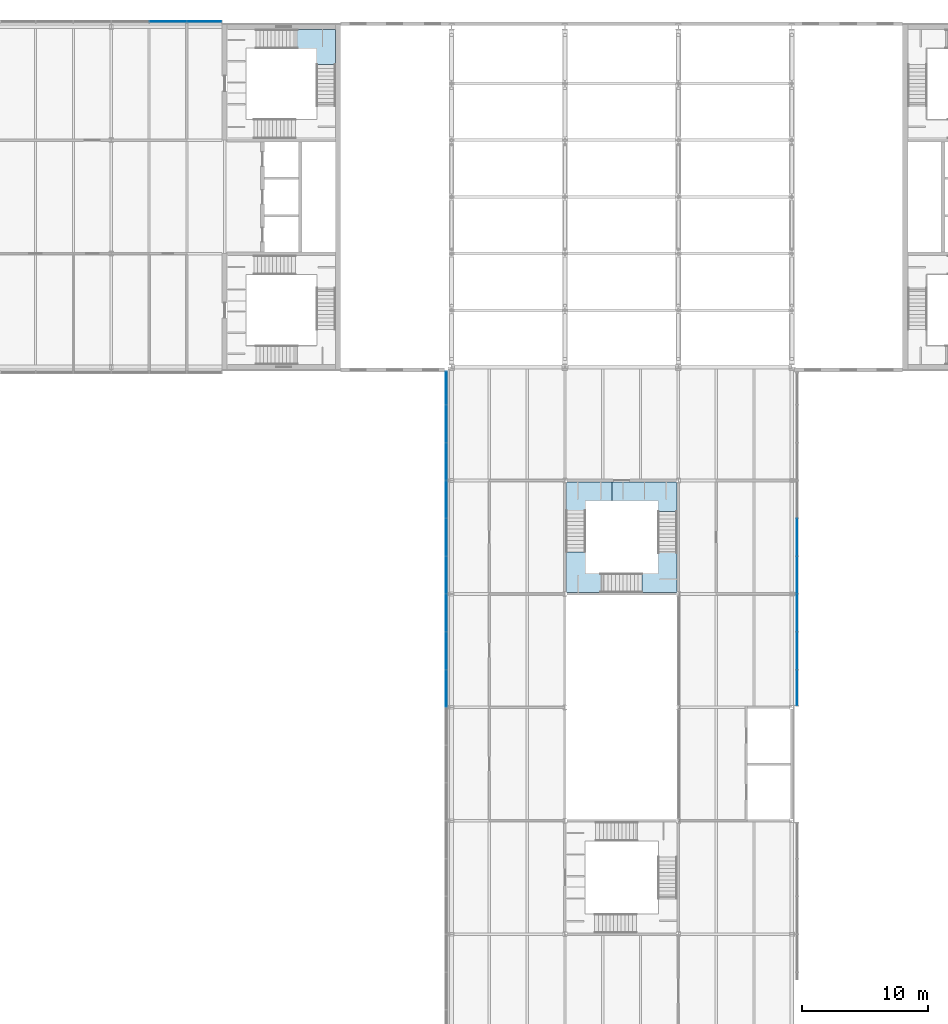
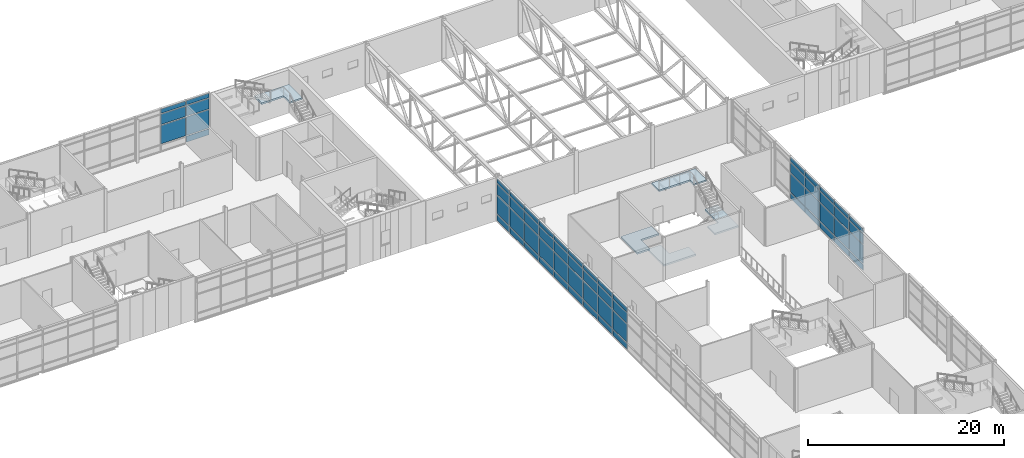
# One storey, part 32 of 53: 63 plates, 5 slabs, 5 elements without a shape of their own.
"""IFC4 building model written with IfcOpenShell, lengths in metres."""

from ifc_helpers import new_model, si_unit, direction, frame, origin, origin_2d, place, context, subcontext, project, spatial, polyline, rectangle, outline, extrude, material, layer, layer_set, type_object, element, aggregate, save


model = new_model("IFC4")

# Units and contexts
model_context = context("Model", 3, precision=1e-05, world=origin(), true_north=direction((0.0, 1.0)))
body_context = subcontext(model_context, "Body", "Model", "MODEL_VIEW")
ifc_project = project(units=[si_unit("LENGTHUNIT", "METRE"), si_unit("AREAUNIT", "SQUARE_METRE"), si_unit("VOLUMEUNIT", "CUBIC_METRE"), si_unit("PLANEANGLEUNIT", "RADIAN"), si_unit("MASSUNIT", "GRAM", prefix="KILO")], contexts=[model_context])

# Site, building, storey
site_placement = place(None, origin())
site = spatial("IfcSite", under=ifc_project, at=site_placement, CompositionType="ELEMENT")
building_placement = place(site_placement, origin())
building = spatial("IfcBuilding", under=site, at=building_placement, Name="Azimuth Sports and Learning Centre", CompositionType="ELEMENT")
storey_placement = place(building_placement, frame((0.0, 0.0, 10.800048828125)))
storey = spatial("IfcBuildingStorey", under=building, at=storey_placement, Name="L02", CompositionType="ELEMENT", Elevation=10.800048828125)

# Stair, slab
ifc_material_1 = material(Name="Concrete C32/40", Category="concrete")
stair_type_1 = type_object("IfcStairType", Name="Square-well stair core 5400 storey", PredefinedType="THREE_QUARTER_TURN_STAIR", material=ifc_material_1)
stair_1_placement = place(storey_placement, origin())
stair_1 = element("IfcStair", 1, at=stair_1_placement, inside=storey, type_object=stair_type_1, Name="Stair W2 L02-L03", PredefinedType="THREE_QUARTER_TURN_STAIR")
ifc_material_2 = material(Name="Concrete C32/40", Category="concrete")
ifc_layer_1 = layer(ifc_material_2, 0.199951171875)
ifc_layer_set_1 = layer_set([ifc_layer_1], Name="Concrete C32/40")
slab_type = type_object("IfcSlabType", Name="Concrete stair landing", PredefinedType="LANDING", material=ifc_layer_set_1)
slab_1_placement = place(storey_placement, frame((0.0, 0.0, 3.39990234375)))
slab_1 = element("IfcSlab", 2, at=slab_1_placement, type_object=slab_type, Name="Stair W2 L02 landing 3", PredefinedType="LANDING", context=body_context, shape_type="SweptSolid", body=[
    extrude(outline(polyline([(61.2900390625, 115.2900390625), (61.2900390625, 114.00927734375), (62.7900390625, 114.00927734375), (62.7900390625, 116.7900390625), (58.68994140625, 116.7900390625), (58.68994140625, 115.2900390625), (61.2900390625, 115.2900390625)])), origin(), (0.0, 0.0, 1.0), 0.199951171875),
])
aggregate(stair_1, [slab_1])

# Stair, slabs
ifc_material_3 = material(Name="Concrete C32/40", Category="concrete")
stair_type_2 = type_object("IfcStairType", Name="Square-well stair stem cell 5400 storey", PredefinedType="THREE_QUARTER_TURN_STAIR", material=ifc_material_3)
stair_2_placement = place(storey_placement, origin())
stair_2 = element("IfcStair", 3, at=stair_2_placement, inside=storey, type_object=stair_type_2, Name="Stair STD L02-L03", PredefinedType="THREE_QUARTER_TURN_STAIR")
slab_2_placement = place(storey_placement, frame((0.0, 0.0, -0.199951171875)))
slab_2 = element("IfcSlab", 4, at=slab_2_placement, type_object=slab_type, Name="Stair STD L02 landing 1", PredefinedType="LANDING", context=body_context, shape_type="SweptSolid", body=[
    extrude(outline(polyline([(82.610107421875, 77.5400390625), (82.610107421875, 79.389892578125), (84.75, 79.389892578125), (84.75, 80.889892578125), (81.110107421875, 80.889892578125), (81.110107421875, 77.5400390625), (82.610107421875, 77.5400390625)])), origin(), (0.0, 0.0, 1.0), 0.199951171875),
])
slab_3_placement = place(storey_placement, frame((0.0, 0.0, 1.599853515625)))
slab_3 = element("IfcSlab", 5, at=slab_3_placement, type_object=slab_type, Name="Stair STD L02 landing 2", PredefinedType="LANDING", context=body_context, shape_type="SweptSolid", body=[
    extrude(outline(polyline([(82.610107421875, 73.610107421875), (82.610107421875, 75.3408203125), (81.110107421875, 75.3408203125), (81.110107421875, 72.110107421875), (84.909912109375, 72.110107421875), (84.909912109375, 73.610107421875), (82.610107421875, 73.610107421875)])), origin(), (0.0, 0.0, 1.0), 0.2001953125),
])
slab_4_placement = place(storey_placement, frame((0.0, 0.0, 3.39990234375)))
slab_4 = element("IfcSlab", 6, at=slab_4_placement, type_object=slab_type, Name="Stair STD L02 landing 3", PredefinedType="LANDING", context=body_context, shape_type="SweptSolid", body=[
    extrude(outline(polyline([(88.389892578125, 73.610107421875), (87.109375, 73.610107421875), (87.109375, 72.110107421875), (89.889892578125, 72.110107421875), (89.889892578125, 76.360107421875), (88.389892578125, 76.360107421875), (88.389892578125, 73.610107421875)])), origin(), (0.0, 0.0, 1.0), 0.199951171875),
])
slab_5_placement = place(storey_placement, frame((0.0, 0.0, 5.199951171875)))
slab_5 = element("IfcSlab", 7, at=slab_5_placement, type_object=slab_type, Name="Stair STD L02 landing 4", PredefinedType="LANDING", context=body_context, shape_type="SweptSolid", body=[
    extrude(outline(polyline([(88.389892578125, 79.389892578125), (88.389892578125, 78.559326171875), (89.889892578125, 78.559326171875), (89.889892578125, 80.889892578125), (84.75, 80.889892578125), (84.75, 79.389892578125), (88.389892578125, 79.389892578125)])), origin(), (0.0, 0.0, 1.0), 0.199951171875),
])
aggregate(stair_2, [slab_2, slab_3, slab_4, slab_5])

# Curtain wall, plates
ifc_material_4 = material(Name="Aluminium and glass", Category="aluminium")
curtain_wall_type_1 = type_object("IfcCurtainWallType", Name="Curtain wall podium stem 240", PredefinedType="NOTDEFINED", material=ifc_material_4)
curtain_wall_1_placement = place(storey_placement, origin())
curtain_wall_1 = element("IfcCurtainWall", 8, at=curtain_wall_1_placement, inside=storey, type_object=curtain_wall_type_1, Name="Curtain wall CW02-003", PredefinedType="NOTDEFINED")
ifc_material_5 = material(Name="Insulated aluminium panel", Category="aluminium")
ifc_layer_2 = layer(ifc_material_5, 0.06005859375)
ifc_layer_set_2 = layer_set([ifc_layer_2], Name="Insulated aluminium panel")
plate_type_1 = type_object("IfcPlateType", Name="Spandrel panel 60 mm", PredefinedType="CURTAIN_PANEL", material=ifc_layer_set_2)
plate_1_placement = place(storey_placement, frame((71.580078125, 88.330078125, 0.1201171875), z_axis=(0.0, 0.0, 1.0), x_axis=(0.0, -1.0, 0.0)))
plate_1 = element("IfcPlate", 9, at=plate_1_placement, type_object=plate_type_1, Name="CW02-003 panel 1.1", PredefinedType="CURTAIN_PANEL", context=body_context, shape_type="SweptSolid", body=[
    extrude(rectangle(XDim=2.580078125, YDim=0.06005859375, at=origin_2d()), origin(), (0.0, 0.0, 1.0), 0.719970703125),
])
plate_2_placement = place(storey_placement, frame((71.580078125, 88.330078125, 4.760009765625), z_axis=(0.0, 0.0, 1.0), x_axis=(0.0, -1.0, 0.0)))
plate_2 = element("IfcPlate", 10, at=plate_2_placement, type_object=plate_type_1, Name="CW02-003 panel 1.4", PredefinedType="CURTAIN_PANEL", context=body_context, shape_type="SweptSolid", body=[
    extrude(rectangle(XDim=2.580078125, YDim=0.06005859375, at=origin_2d()), origin(), (0.0, 0.0, 1.0), 0.52001953125),
])
plate_3_placement = place(storey_placement, frame((71.580078125, 85.5, 0.1201171875), z_axis=(0.0, 0.0, 1.0), x_axis=(0.0, -1.0, 0.0)))
plate_3 = element("IfcPlate", 11, at=plate_3_placement, type_object=plate_type_1, Name="CW02-003 panel 2.1", PredefinedType="CURTAIN_PANEL", context=body_context, shape_type="SweptSolid", body=[
    extrude(rectangle(XDim=2.919921875, YDim=0.06005859375, at=origin_2d()), origin(), (0.0, 0.0, 1.0), 0.719970703125),
])
plate_4_placement = place(storey_placement, frame((71.580078125, 85.5, 4.760009765625), z_axis=(0.0, 0.0, 1.0), x_axis=(0.0, -1.0, 0.0)))
plate_4 = element("IfcPlate", 12, at=plate_4_placement, type_object=plate_type_1, Name="CW02-003 panel 2.4", PredefinedType="CURTAIN_PANEL", context=body_context, shape_type="SweptSolid", body=[
    extrude(rectangle(XDim=2.919921875, YDim=0.06005859375, at=origin_2d()), origin(), (0.0, 0.0, 1.0), 0.52001953125),
])
plate_5_placement = place(storey_placement, frame((71.580078125, 82.5, 0.1201171875), z_axis=(0.0, 0.0, 1.0), x_axis=(0.0, -1.0, 0.0)))
plate_5 = element("IfcPlate", 13, at=plate_5_placement, type_object=plate_type_1, Name="CW02-003 panel 3.1", PredefinedType="CURTAIN_PANEL", context=body_context, shape_type="SweptSolid", body=[
    extrude(rectangle(XDim=2.919921875, YDim=0.06005859375, at=origin_2d()), origin(), (0.0, 0.0, 1.0), 0.719970703125),
])
plate_6_placement = place(storey_placement, frame((71.580078125, 82.5, 4.760009765625), z_axis=(0.0, 0.0, 1.0), x_axis=(0.0, -1.0, 0.0)))
plate_6 = element("IfcPlate", 14, at=plate_6_placement, type_object=plate_type_1, Name="CW02-003 panel 3.4", PredefinedType="CURTAIN_PANEL", context=body_context, shape_type="SweptSolid", body=[
    extrude(rectangle(XDim=2.919921875, YDim=0.06005859375, at=origin_2d()), origin(), (0.0, 0.0, 1.0), 0.52001953125),
])
plate_7_placement = place(storey_placement, frame((71.580078125, 79.5, 0.1201171875), z_axis=(0.0, 0.0, 1.0), x_axis=(0.0, -1.0, 0.0)))
plate_7 = element("IfcPlate", 15, at=plate_7_placement, type_object=plate_type_1, Name="CW02-003 panel 4.1", PredefinedType="CURTAIN_PANEL", context=body_context, shape_type="SweptSolid", body=[
    extrude(rectangle(XDim=2.919921875, YDim=0.06005859375, at=origin_2d()), origin(), (0.0, 0.0, 1.0), 0.719970703125),
])
plate_8_placement = place(storey_placement, frame((71.580078125, 79.5, 4.760009765625), z_axis=(0.0, 0.0, 1.0), x_axis=(0.0, -1.0, 0.0)))
plate_8 = element("IfcPlate", 16, at=plate_8_placement, type_object=plate_type_1, Name="CW02-003 panel 4.4", PredefinedType="CURTAIN_PANEL", context=body_context, shape_type="SweptSolid", body=[
    extrude(rectangle(XDim=2.919921875, YDim=0.06005859375, at=origin_2d()), origin(), (0.0, 0.0, 1.0), 0.52001953125),
])
plate_9_placement = place(storey_placement, frame((71.580078125, 76.5, 0.1201171875), z_axis=(0.0, 0.0, 1.0), x_axis=(0.0, -1.0, 0.0)))
plate_9 = element("IfcPlate", 17, at=plate_9_placement, type_object=plate_type_1, Name="CW02-003 panel 5.1", PredefinedType="CURTAIN_PANEL", context=body_context, shape_type="SweptSolid", body=[
    extrude(rectangle(XDim=2.919921875, YDim=0.06005859375, at=origin_2d()), origin(), (0.0, 0.0, 1.0), 0.719970703125),
])
plate_10_placement = place(storey_placement, frame((71.580078125, 76.5, 4.760009765625), z_axis=(0.0, 0.0, 1.0), x_axis=(0.0, -1.0, 0.0)))
plate_10 = element("IfcPlate", 18, at=plate_10_placement, type_object=plate_type_1, Name="CW02-003 panel 5.4", PredefinedType="CURTAIN_PANEL", context=body_context, shape_type="SweptSolid", body=[
    extrude(rectangle(XDim=2.919921875, YDim=0.06005859375, at=origin_2d()), origin(), (0.0, 0.0, 1.0), 0.52001953125),
])
plate_11_placement = place(storey_placement, frame((71.580078125, 73.5, 0.1201171875), z_axis=(0.0, 0.0, 1.0), x_axis=(0.0, -1.0, 0.0)))
plate_11 = element("IfcPlate", 19, at=plate_11_placement, type_object=plate_type_1, Name="CW02-003 panel 6.1", PredefinedType="CURTAIN_PANEL", context=body_context, shape_type="SweptSolid", body=[
    extrude(rectangle(XDim=2.919921875, YDim=0.06005859375, at=origin_2d()), origin(), (0.0, 0.0, 1.0), 0.719970703125),
])
plate_12_placement = place(storey_placement, frame((71.580078125, 73.5, 4.760009765625), z_axis=(0.0, 0.0, 1.0), x_axis=(0.0, -1.0, 0.0)))
plate_12 = element("IfcPlate", 20, at=plate_12_placement, type_object=plate_type_1, Name="CW02-003 panel 6.4", PredefinedType="CURTAIN_PANEL", context=body_context, shape_type="SweptSolid", body=[
    extrude(rectangle(XDim=2.919921875, YDim=0.06005859375, at=origin_2d()), origin(), (0.0, 0.0, 1.0), 0.52001953125),
])
plate_13_placement = place(storey_placement, frame((71.580078125, 70.5, 0.1201171875), z_axis=(0.0, 0.0, 1.0), x_axis=(0.0, -1.0, 0.0)))
plate_13 = element("IfcPlate", 21, at=plate_13_placement, type_object=plate_type_1, Name="CW02-003 panel 7.1", PredefinedType="CURTAIN_PANEL", context=body_context, shape_type="SweptSolid", body=[
    extrude(rectangle(XDim=2.919921875, YDim=0.06005859375, at=origin_2d()), origin(), (0.0, 0.0, 1.0), 0.719970703125),
])
plate_14_placement = place(storey_placement, frame((71.580078125, 70.5, 4.760009765625), z_axis=(0.0, 0.0, 1.0), x_axis=(0.0, -1.0, 0.0)))
plate_14 = element("IfcPlate", 22, at=plate_14_placement, type_object=plate_type_1, Name="CW02-003 panel 7.4", PredefinedType="CURTAIN_PANEL", context=body_context, shape_type="SweptSolid", body=[
    extrude(rectangle(XDim=2.919921875, YDim=0.06005859375, at=origin_2d()), origin(), (0.0, 0.0, 1.0), 0.52001953125),
])
plate_15_placement = place(storey_placement, frame((71.580078125, 67.5, 0.1201171875), z_axis=(0.0, 0.0, 1.0), x_axis=(0.0, -1.0, 0.0)))
plate_15 = element("IfcPlate", 23, at=plate_15_placement, type_object=plate_type_1, Name="CW02-003 panel 8.1", PredefinedType="CURTAIN_PANEL", context=body_context, shape_type="SweptSolid", body=[
    extrude(rectangle(XDim=2.919921875, YDim=0.06005859375, at=origin_2d()), origin(), (0.0, 0.0, 1.0), 0.719970703125),
])
plate_16_placement = place(storey_placement, frame((71.580078125, 67.5, 4.760009765625), z_axis=(0.0, 0.0, 1.0), x_axis=(0.0, -1.0, 0.0)))
plate_16 = element("IfcPlate", 24, at=plate_16_placement, type_object=plate_type_1, Name="CW02-003 panel 8.4", PredefinedType="CURTAIN_PANEL", context=body_context, shape_type="SweptSolid", body=[
    extrude(rectangle(XDim=2.919921875, YDim=0.06005859375, at=origin_2d()), origin(), (0.0, 0.0, 1.0), 0.52001953125),
])
plate_17_placement = place(storey_placement, frame((71.580078125, 64.5, 0.1201171875), z_axis=(0.0, 0.0, 1.0), x_axis=(0.0, -1.0, 0.0)))
plate_17 = element("IfcPlate", 25, at=plate_17_placement, type_object=plate_type_1, Name="CW02-003 panel 9.1", PredefinedType="CURTAIN_PANEL", context=body_context, shape_type="SweptSolid", body=[
    extrude(rectangle(XDim=2.919921875, YDim=0.06005859375, at=origin_2d()), origin(), (0.0, 0.0, 1.0), 0.719970703125),
])
plate_18_placement = place(storey_placement, frame((71.580078125, 64.5, 4.760009765625), z_axis=(0.0, 0.0, 1.0), x_axis=(0.0, -1.0, 0.0)))
plate_18 = element("IfcPlate", 26, at=plate_18_placement, type_object=plate_type_1, Name="CW02-003 panel 9.4", PredefinedType="CURTAIN_PANEL", context=body_context, shape_type="SweptSolid", body=[
    extrude(rectangle(XDim=2.919921875, YDim=0.06005859375, at=origin_2d()), origin(), (0.0, 0.0, 1.0), 0.52001953125),
])

curtain_wall_2_placement = place(storey_placement, origin())
curtain_wall_2 = element("IfcCurtainWall", 27, at=curtain_wall_2_placement, inside=storey, type_object=curtain_wall_type_1, Name="Curtain wall CW02-008", PredefinedType="NOTDEFINED")
plate_19_placement = place(storey_placement, frame((99.419921875, 64.570068359375, 0.1201171875), z_axis=(0.0, 0.0, 1.0), x_axis=(0.0, 1.0, 0.0)))
plate_19 = element("IfcPlate", 28, at=plate_19_placement, type_object=plate_type_1, Name="CW02-008 panel 1.1", PredefinedType="CURTAIN_PANEL", context=body_context, shape_type="SweptSolid", body=[
    extrude(rectangle(XDim=2.780029296875, YDim=0.06005859375, at=origin_2d()), origin(), (0.0, 0.0, 1.0), 0.719970703125),
])
plate_20_placement = place(storey_placement, frame((99.419921875, 64.570068359375, 4.760009765625), z_axis=(0.0, 0.0, 1.0), x_axis=(0.0, 1.0, 0.0)))
plate_20 = element("IfcPlate", 29, at=plate_20_placement, type_object=plate_type_1, Name="CW02-008 panel 1.4", PredefinedType="CURTAIN_PANEL", context=body_context, shape_type="SweptSolid", body=[
    extrude(rectangle(XDim=2.780029296875, YDim=0.06005859375, at=origin_2d()), origin(), (0.0, 0.0, 1.0), 0.52001953125),
])
plate_21_placement = place(storey_placement, frame((99.419921875, 67.5, 0.1201171875), z_axis=(0.0, 0.0, 1.0), x_axis=(0.0, 1.0, 0.0)))
plate_21 = element("IfcPlate", 30, at=plate_21_placement, type_object=plate_type_1, Name="CW02-008 panel 2.1", PredefinedType="CURTAIN_PANEL", context=body_context, shape_type="SweptSolid", body=[
    extrude(rectangle(XDim=2.919921875, YDim=0.06005859375, at=origin_2d()), origin(), (0.0, 0.0, 1.0), 0.719970703125),
])
plate_22_placement = place(storey_placement, frame((99.419921875, 67.5, 4.760009765625), z_axis=(0.0, 0.0, 1.0), x_axis=(0.0, 1.0, 0.0)))
plate_22 = element("IfcPlate", 31, at=plate_22_placement, type_object=plate_type_1, Name="CW02-008 panel 2.4", PredefinedType="CURTAIN_PANEL", context=body_context, shape_type="SweptSolid", body=[
    extrude(rectangle(XDim=2.919921875, YDim=0.06005859375, at=origin_2d()), origin(), (0.0, 0.0, 1.0), 0.52001953125),
])
plate_23_placement = place(storey_placement, frame((99.419921875, 70.5, 0.1201171875), z_axis=(0.0, 0.0, 1.0), x_axis=(0.0, 1.0, 0.0)))
plate_23 = element("IfcPlate", 32, at=plate_23_placement, type_object=plate_type_1, Name="CW02-008 panel 3.1", PredefinedType="CURTAIN_PANEL", context=body_context, shape_type="SweptSolid", body=[
    extrude(rectangle(XDim=2.919921875, YDim=0.06005859375, at=origin_2d()), origin(), (0.0, 0.0, 1.0), 0.719970703125),
])
plate_24_placement = place(storey_placement, frame((99.419921875, 70.5, 4.760009765625), z_axis=(0.0, 0.0, 1.0), x_axis=(0.0, 1.0, 0.0)))
plate_24 = element("IfcPlate", 33, at=plate_24_placement, type_object=plate_type_1, Name="CW02-008 panel 3.4", PredefinedType="CURTAIN_PANEL", context=body_context, shape_type="SweptSolid", body=[
    extrude(rectangle(XDim=2.919921875, YDim=0.06005859375, at=origin_2d()), origin(), (0.0, 0.0, 1.0), 0.52001953125),
])
plate_25_placement = place(storey_placement, frame((99.419921875, 73.5, 0.1201171875), z_axis=(0.0, 0.0, 1.0), x_axis=(0.0, 1.0, 0.0)))
plate_25 = element("IfcPlate", 34, at=plate_25_placement, type_object=plate_type_1, Name="CW02-008 panel 4.1", PredefinedType="CURTAIN_PANEL", context=body_context, shape_type="SweptSolid", body=[
    extrude(rectangle(XDim=2.919921875, YDim=0.06005859375, at=origin_2d()), origin(), (0.0, 0.0, 1.0), 0.719970703125),
])
plate_26_placement = place(storey_placement, frame((99.419921875, 73.5, 4.760009765625), z_axis=(0.0, 0.0, 1.0), x_axis=(0.0, 1.0, 0.0)))
plate_26 = element("IfcPlate", 35, at=plate_26_placement, type_object=plate_type_1, Name="CW02-008 panel 4.4", PredefinedType="CURTAIN_PANEL", context=body_context, shape_type="SweptSolid", body=[
    extrude(rectangle(XDim=2.919921875, YDim=0.06005859375, at=origin_2d()), origin(), (0.0, 0.0, 1.0), 0.52001953125),
])
plate_27_placement = place(storey_placement, frame((99.419921875, 76.5, 0.1201171875), z_axis=(0.0, 0.0, 1.0), x_axis=(0.0, 1.0, 0.0)))
plate_27 = element("IfcPlate", 36, at=plate_27_placement, type_object=plate_type_1, Name="CW02-008 panel 5.1", PredefinedType="CURTAIN_PANEL", context=body_context, shape_type="SweptSolid", body=[
    extrude(rectangle(XDim=2.919921875, YDim=0.06005859375, at=origin_2d()), origin(), (0.0, 0.0, 1.0), 0.719970703125),
])
plate_28_placement = place(storey_placement, frame((99.419921875, 76.5, 4.760009765625), z_axis=(0.0, 0.0, 1.0), x_axis=(0.0, 1.0, 0.0)))
plate_28 = element("IfcPlate", 37, at=plate_28_placement, type_object=plate_type_1, Name="CW02-008 panel 5.4", PredefinedType="CURTAIN_PANEL", context=body_context, shape_type="SweptSolid", body=[
    extrude(rectangle(XDim=2.919921875, YDim=0.06005859375, at=origin_2d()), origin(), (0.0, 0.0, 1.0), 0.52001953125),
])

ifc_material_6 = material(Name="Aluminium and glass", Category="aluminium")
curtain_wall_type_2 = type_object("IfcCurtainWallType", Name="Curtain wall podium wing 240", PredefinedType="NOTDEFINED", material=ifc_material_6)
curtain_wall_3_placement = place(storey_placement, origin())
curtain_wall_3 = element("IfcCurtainWall", 38, at=curtain_wall_3_placement, inside=storey, type_object=curtain_wall_type_2, Name="Curtain wall CW02-013", PredefinedType="NOTDEFINED")
plate_29_placement = place(storey_placement, frame((52.3798828125, 117.419921875, 0.1201171875), z_axis=(0.0, 0.0, 1.0), x_axis=(-1.0, 0.0, 0.0)))
plate_29 = element("IfcPlate", 39, at=plate_29_placement, type_object=plate_type_1, Name="CW02-013 panel 1.1", PredefinedType="CURTAIN_PANEL", context=body_context, shape_type="SweptSolid", body=[
    extrude(rectangle(XDim=2.679931640625, YDim=0.06005859375, at=origin_2d()), origin(), (0.0, 0.0, 1.0), 0.719970703125),
])
plate_30_placement = place(storey_placement, frame((52.3798828125, 117.419921875, 4.760009765625), z_axis=(0.0, 0.0, 1.0), x_axis=(-1.0, 0.0, 0.0)))
plate_30 = element("IfcPlate", 40, at=plate_30_placement, type_object=plate_type_1, Name="CW02-013 panel 1.4", PredefinedType="CURTAIN_PANEL", context=body_context, shape_type="SweptSolid", body=[
    extrude(rectangle(XDim=2.679931640625, YDim=0.06005859375, at=origin_2d()), origin(), (0.0, 0.0, 1.0), 0.52001953125),
])
plate_31_placement = place(storey_placement, frame((49.5, 117.419921875, 4.760009765625), z_axis=(0.0, 0.0, 1.0), x_axis=(-1.0, 0.0, 0.0)))
plate_31 = element("IfcPlate", 41, at=plate_31_placement, type_object=plate_type_1, Name="CW02-013 panel 2.4", PredefinedType="CURTAIN_PANEL", context=body_context, shape_type="SweptSolid", body=[
    extrude(rectangle(XDim=2.919921875, YDim=0.06005859375, at=origin_2d()), origin(), (0.0, 0.0, 1.0), 0.52001953125),
])

# Plate
ifc_material_7 = material(Name="Glass", Category="glass")
ifc_layer_3 = layer(ifc_material_7, 0.0439453125)
ifc_layer_set_3 = layer_set([ifc_layer_3], Name="Glass")
plate_type_2 = type_object("IfcPlateType", Name="Vision glass 44 mm", PredefinedType="CURTAIN_PANEL", material=ifc_layer_set_3)
plate_32_placement = place(storey_placement, frame((71.580078125, 88.330078125, 0.9599609375), z_axis=(0.0, 0.0, 1.0), x_axis=(0.0, -1.0, 0.0)))
plate_32 = element("IfcPlate", 42, at=plate_32_placement, type_object=plate_type_2, Name="CW02-003 panel 1.2", PredefinedType="CURTAIN_PANEL", context=body_context, shape_type="SweptSolid", body=[
    extrude(rectangle(XDim=2.580078125, YDim=0.0439453125, at=origin_2d()), origin(), (0.0, 0.0, 1.0), 2.280029296875),
])

plate_33_placement = place(storey_placement, frame((71.580078125, 88.330078125, 3.35986328125), z_axis=(0.0, 0.0, 1.0), x_axis=(0.0, -1.0, 0.0)))
plate_33 = element("IfcPlate", 43, at=plate_33_placement, type_object=plate_type_2, Name="CW02-003 panel 1.3", PredefinedType="CURTAIN_PANEL", context=body_context, shape_type="SweptSolid", body=[
    extrude(rectangle(XDim=2.580078125, YDim=0.0439453125, at=origin_2d()), origin(), (0.0, 0.0, 1.0), 1.280029296875),
])

plate_34_placement = place(storey_placement, frame((71.580078125, 85.5, 0.9599609375), z_axis=(0.0, 0.0, 1.0), x_axis=(0.0, -1.0, 0.0)))
plate_34 = element("IfcPlate", 44, at=plate_34_placement, type_object=plate_type_2, Name="CW02-003 panel 2.2", PredefinedType="CURTAIN_PANEL", context=body_context, shape_type="SweptSolid", body=[
    extrude(rectangle(XDim=2.919921875, YDim=0.0439453125, at=origin_2d()), origin(), (0.0, 0.0, 1.0), 2.280029296875),
])

plate_35_placement = place(storey_placement, frame((71.580078125, 85.5, 3.35986328125), z_axis=(0.0, 0.0, 1.0), x_axis=(0.0, -1.0, 0.0)))
plate_35 = element("IfcPlate", 45, at=plate_35_placement, type_object=plate_type_2, Name="CW02-003 panel 2.3", PredefinedType="CURTAIN_PANEL", context=body_context, shape_type="SweptSolid", body=[
    extrude(rectangle(XDim=2.919921875, YDim=0.0439453125, at=origin_2d()), origin(), (0.0, 0.0, 1.0), 1.280029296875),
])

plate_36_placement = place(storey_placement, frame((71.580078125, 82.5, 0.9599609375), z_axis=(0.0, 0.0, 1.0), x_axis=(0.0, -1.0, 0.0)))
plate_36 = element("IfcPlate", 46, at=plate_36_placement, type_object=plate_type_2, Name="CW02-003 panel 3.2", PredefinedType="CURTAIN_PANEL", context=body_context, shape_type="SweptSolid", body=[
    extrude(rectangle(XDim=2.919921875, YDim=0.0439453125, at=origin_2d()), origin(), (0.0, 0.0, 1.0), 2.280029296875),
])

plate_37_placement = place(storey_placement, frame((71.580078125, 82.5, 3.35986328125), z_axis=(0.0, 0.0, 1.0), x_axis=(0.0, -1.0, 0.0)))
plate_37 = element("IfcPlate", 47, at=plate_37_placement, type_object=plate_type_2, Name="CW02-003 panel 3.3", PredefinedType="CURTAIN_PANEL", context=body_context, shape_type="SweptSolid", body=[
    extrude(rectangle(XDim=2.919921875, YDim=0.0439453125, at=origin_2d()), origin(), (0.0, 0.0, 1.0), 1.280029296875),
])

plate_38_placement = place(storey_placement, frame((71.580078125, 79.5, 0.9599609375), z_axis=(0.0, 0.0, 1.0), x_axis=(0.0, -1.0, 0.0)))
plate_38 = element("IfcPlate", 48, at=plate_38_placement, type_object=plate_type_2, Name="CW02-003 panel 4.2", PredefinedType="CURTAIN_PANEL", context=body_context, shape_type="SweptSolid", body=[
    extrude(rectangle(XDim=2.919921875, YDim=0.0439453125, at=origin_2d()), origin(), (0.0, 0.0, 1.0), 2.280029296875),
])

plate_39_placement = place(storey_placement, frame((71.580078125, 79.5, 3.35986328125), z_axis=(0.0, 0.0, 1.0), x_axis=(0.0, -1.0, 0.0)))
plate_39 = element("IfcPlate", 49, at=plate_39_placement, type_object=plate_type_2, Name="CW02-003 panel 4.3", PredefinedType="CURTAIN_PANEL", context=body_context, shape_type="SweptSolid", body=[
    extrude(rectangle(XDim=2.919921875, YDim=0.0439453125, at=origin_2d()), origin(), (0.0, 0.0, 1.0), 1.280029296875),
])

plate_40_placement = place(storey_placement, frame((71.580078125, 76.5, 0.9599609375), z_axis=(0.0, 0.0, 1.0), x_axis=(0.0, -1.0, 0.0)))
plate_40 = element("IfcPlate", 50, at=plate_40_placement, type_object=plate_type_2, Name="CW02-003 panel 5.2", PredefinedType="CURTAIN_PANEL", context=body_context, shape_type="SweptSolid", body=[
    extrude(rectangle(XDim=2.919921875, YDim=0.0439453125, at=origin_2d()), origin(), (0.0, 0.0, 1.0), 2.280029296875),
])

plate_41_placement = place(storey_placement, frame((71.580078125, 76.5, 3.35986328125), z_axis=(0.0, 0.0, 1.0), x_axis=(0.0, -1.0, 0.0)))
plate_41 = element("IfcPlate", 51, at=plate_41_placement, type_object=plate_type_2, Name="CW02-003 panel 5.3", PredefinedType="CURTAIN_PANEL", context=body_context, shape_type="SweptSolid", body=[
    extrude(rectangle(XDim=2.919921875, YDim=0.0439453125, at=origin_2d()), origin(), (0.0, 0.0, 1.0), 1.280029296875),
])

plate_42_placement = place(storey_placement, frame((71.580078125, 73.5, 0.9599609375), z_axis=(0.0, 0.0, 1.0), x_axis=(0.0, -1.0, 0.0)))
plate_42 = element("IfcPlate", 52, at=plate_42_placement, type_object=plate_type_2, Name="CW02-003 panel 6.2", PredefinedType="CURTAIN_PANEL", context=body_context, shape_type="SweptSolid", body=[
    extrude(rectangle(XDim=2.919921875, YDim=0.0439453125, at=origin_2d()), origin(), (0.0, 0.0, 1.0), 2.280029296875),
])

plate_43_placement = place(storey_placement, frame((71.580078125, 73.5, 3.35986328125), z_axis=(0.0, 0.0, 1.0), x_axis=(0.0, -1.0, 0.0)))
plate_43 = element("IfcPlate", 53, at=plate_43_placement, type_object=plate_type_2, Name="CW02-003 panel 6.3", PredefinedType="CURTAIN_PANEL", context=body_context, shape_type="SweptSolid", body=[
    extrude(rectangle(XDim=2.919921875, YDim=0.0439453125, at=origin_2d()), origin(), (0.0, 0.0, 1.0), 1.280029296875),
])

plate_44_placement = place(storey_placement, frame((71.580078125, 70.5, 0.9599609375), z_axis=(0.0, 0.0, 1.0), x_axis=(0.0, -1.0, 0.0)))
plate_44 = element("IfcPlate", 54, at=plate_44_placement, type_object=plate_type_2, Name="CW02-003 panel 7.2", PredefinedType="CURTAIN_PANEL", context=body_context, shape_type="SweptSolid", body=[
    extrude(rectangle(XDim=2.919921875, YDim=0.0439453125, at=origin_2d()), origin(), (0.0, 0.0, 1.0), 2.280029296875),
])

plate_45_placement = place(storey_placement, frame((71.580078125, 70.5, 3.35986328125), z_axis=(0.0, 0.0, 1.0), x_axis=(0.0, -1.0, 0.0)))
plate_45 = element("IfcPlate", 55, at=plate_45_placement, type_object=plate_type_2, Name="CW02-003 panel 7.3", PredefinedType="CURTAIN_PANEL", context=body_context, shape_type="SweptSolid", body=[
    extrude(rectangle(XDim=2.919921875, YDim=0.0439453125, at=origin_2d()), origin(), (0.0, 0.0, 1.0), 1.280029296875),
])

plate_46_placement = place(storey_placement, frame((71.580078125, 67.5, 0.9599609375), z_axis=(0.0, 0.0, 1.0), x_axis=(0.0, -1.0, 0.0)))
plate_46 = element("IfcPlate", 56, at=plate_46_placement, type_object=plate_type_2, Name="CW02-003 panel 8.2", PredefinedType="CURTAIN_PANEL", context=body_context, shape_type="SweptSolid", body=[
    extrude(rectangle(XDim=2.919921875, YDim=0.0439453125, at=origin_2d()), origin(), (0.0, 0.0, 1.0), 2.280029296875),
])

plate_47_placement = place(storey_placement, frame((71.580078125, 67.5, 3.35986328125), z_axis=(0.0, 0.0, 1.0), x_axis=(0.0, -1.0, 0.0)))
plate_47 = element("IfcPlate", 57, at=plate_47_placement, type_object=plate_type_2, Name="CW02-003 panel 8.3", PredefinedType="CURTAIN_PANEL", context=body_context, shape_type="SweptSolid", body=[
    extrude(rectangle(XDim=2.919921875, YDim=0.0439453125, at=origin_2d()), origin(), (0.0, 0.0, 1.0), 1.280029296875),
])

plate_48_placement = place(storey_placement, frame((71.580078125, 64.5, 0.9599609375), z_axis=(0.0, 0.0, 1.0), x_axis=(0.0, -1.0, 0.0)))
plate_48 = element("IfcPlate", 58, at=plate_48_placement, type_object=plate_type_2, Name="CW02-003 panel 9.2", PredefinedType="CURTAIN_PANEL", context=body_context, shape_type="SweptSolid", body=[
    extrude(rectangle(XDim=2.919921875, YDim=0.0439453125, at=origin_2d()), origin(), (0.0, 0.0, 1.0), 2.280029296875),
])

plate_49_placement = place(storey_placement, frame((71.580078125, 64.5, 3.35986328125), z_axis=(0.0, 0.0, 1.0), x_axis=(0.0, -1.0, 0.0)))
plate_49 = element("IfcPlate", 59, at=plate_49_placement, type_object=plate_type_2, Name="CW02-003 panel 9.3", PredefinedType="CURTAIN_PANEL", context=body_context, shape_type="SweptSolid", body=[
    extrude(rectangle(XDim=2.919921875, YDim=0.0439453125, at=origin_2d()), origin(), (0.0, 0.0, 1.0), 1.280029296875),
])

aggregate(curtain_wall_1, [plate_1, plate_32, plate_33, plate_2, plate_3, plate_34, plate_35, plate_4, plate_5, plate_36, plate_37, plate_6, plate_7, plate_38, plate_39, plate_8, plate_9, plate_40, plate_41, plate_10, plate_11, plate_42, plate_43, plate_12, plate_13, plate_44, plate_45, plate_14, plate_15, plate_46, plate_47, plate_16, plate_17, plate_48, plate_49, plate_18])

plate_50_placement = place(storey_placement, frame((99.419921875, 64.570068359375, 0.9599609375), z_axis=(0.0, 0.0, 1.0), x_axis=(0.0, 1.0, 0.0)))
plate_50 = element("IfcPlate", 60, at=plate_50_placement, type_object=plate_type_2, Name="CW02-008 panel 1.2", PredefinedType="CURTAIN_PANEL", context=body_context, shape_type="SweptSolid", body=[
    extrude(rectangle(XDim=2.780029296875, YDim=0.0439453125, at=origin_2d()), origin(), (0.0, 0.0, 1.0), 2.280029296875),
])

plate_51_placement = place(storey_placement, frame((99.419921875, 64.570068359375, 3.35986328125), z_axis=(0.0, 0.0, 1.0), x_axis=(0.0, 1.0, 0.0)))
plate_51 = element("IfcPlate", 61, at=plate_51_placement, type_object=plate_type_2, Name="CW02-008 panel 1.3", PredefinedType="CURTAIN_PANEL", context=body_context, shape_type="SweptSolid", body=[
    extrude(rectangle(XDim=2.780029296875, YDim=0.0439453125, at=origin_2d()), origin(), (0.0, 0.0, 1.0), 1.280029296875),
])

plate_52_placement = place(storey_placement, frame((99.419921875, 67.5, 0.9599609375), z_axis=(0.0, 0.0, 1.0), x_axis=(0.0, 1.0, 0.0)))
plate_52 = element("IfcPlate", 62, at=plate_52_placement, type_object=plate_type_2, Name="CW02-008 panel 2.2", PredefinedType="CURTAIN_PANEL", context=body_context, shape_type="SweptSolid", body=[
    extrude(rectangle(XDim=2.919921875, YDim=0.0439453125, at=origin_2d()), origin(), (0.0, 0.0, 1.0), 2.280029296875),
])

plate_53_placement = place(storey_placement, frame((99.419921875, 67.5, 3.35986328125), z_axis=(0.0, 0.0, 1.0), x_axis=(0.0, 1.0, 0.0)))
plate_53 = element("IfcPlate", 63, at=plate_53_placement, type_object=plate_type_2, Name="CW02-008 panel 2.3", PredefinedType="CURTAIN_PANEL", context=body_context, shape_type="SweptSolid", body=[
    extrude(rectangle(XDim=2.919921875, YDim=0.0439453125, at=origin_2d()), origin(), (0.0, 0.0, 1.0), 1.280029296875),
])

plate_54_placement = place(storey_placement, frame((99.419921875, 70.5, 0.9599609375), z_axis=(0.0, 0.0, 1.0), x_axis=(0.0, 1.0, 0.0)))
plate_54 = element("IfcPlate", 64, at=plate_54_placement, type_object=plate_type_2, Name="CW02-008 panel 3.2", PredefinedType="CURTAIN_PANEL", context=body_context, shape_type="SweptSolid", body=[
    extrude(rectangle(XDim=2.919921875, YDim=0.0439453125, at=origin_2d()), origin(), (0.0, 0.0, 1.0), 2.280029296875),
])

plate_55_placement = place(storey_placement, frame((99.419921875, 70.5, 3.35986328125), z_axis=(0.0, 0.0, 1.0), x_axis=(0.0, 1.0, 0.0)))
plate_55 = element("IfcPlate", 65, at=plate_55_placement, type_object=plate_type_2, Name="CW02-008 panel 3.3", PredefinedType="CURTAIN_PANEL", context=body_context, shape_type="SweptSolid", body=[
    extrude(rectangle(XDim=2.919921875, YDim=0.0439453125, at=origin_2d()), origin(), (0.0, 0.0, 1.0), 1.280029296875),
])

plate_56_placement = place(storey_placement, frame((99.419921875, 73.5, 0.9599609375), z_axis=(0.0, 0.0, 1.0), x_axis=(0.0, 1.0, 0.0)))
plate_56 = element("IfcPlate", 66, at=plate_56_placement, type_object=plate_type_2, Name="CW02-008 panel 4.2", PredefinedType="CURTAIN_PANEL", context=body_context, shape_type="SweptSolid", body=[
    extrude(rectangle(XDim=2.919921875, YDim=0.0439453125, at=origin_2d()), origin(), (0.0, 0.0, 1.0), 2.280029296875),
])

plate_57_placement = place(storey_placement, frame((99.419921875, 73.5, 3.35986328125), z_axis=(0.0, 0.0, 1.0), x_axis=(0.0, 1.0, 0.0)))
plate_57 = element("IfcPlate", 67, at=plate_57_placement, type_object=plate_type_2, Name="CW02-008 panel 4.3", PredefinedType="CURTAIN_PANEL", context=body_context, shape_type="SweptSolid", body=[
    extrude(rectangle(XDim=2.919921875, YDim=0.0439453125, at=origin_2d()), origin(), (0.0, 0.0, 1.0), 1.280029296875),
])

plate_58_placement = place(storey_placement, frame((99.419921875, 76.5, 0.9599609375), z_axis=(0.0, 0.0, 1.0), x_axis=(0.0, 1.0, 0.0)))
plate_58 = element("IfcPlate", 68, at=plate_58_placement, type_object=plate_type_2, Name="CW02-008 panel 5.2", PredefinedType="CURTAIN_PANEL", context=body_context, shape_type="SweptSolid", body=[
    extrude(rectangle(XDim=2.919921875, YDim=0.0439453125, at=origin_2d()), origin(), (0.0, 0.0, 1.0), 2.280029296875),
])

plate_59_placement = place(storey_placement, frame((99.419921875, 76.5, 3.35986328125), z_axis=(0.0, 0.0, 1.0), x_axis=(0.0, 1.0, 0.0)))
plate_59 = element("IfcPlate", 69, at=plate_59_placement, type_object=plate_type_2, Name="CW02-008 panel 5.3", PredefinedType="CURTAIN_PANEL", context=body_context, shape_type="SweptSolid", body=[
    extrude(rectangle(XDim=2.919921875, YDim=0.0439453125, at=origin_2d()), origin(), (0.0, 0.0, 1.0), 1.280029296875),
])

aggregate(curtain_wall_2, [plate_19, plate_50, plate_51, plate_20, plate_21, plate_52, plate_53, plate_22, plate_23, plate_54, plate_55, plate_24, plate_25, plate_56, plate_57, plate_26, plate_27, plate_58, plate_59, plate_28])

plate_60_placement = place(storey_placement, frame((52.3798828125, 117.419921875, 0.9599609375), z_axis=(0.0, 0.0, 1.0), x_axis=(-1.0, 0.0, 0.0)))
plate_60 = element("IfcPlate", 70, at=plate_60_placement, type_object=plate_type_2, Name="CW02-013 panel 1.2", PredefinedType="CURTAIN_PANEL", context=body_context, shape_type="SweptSolid", body=[
    extrude(rectangle(XDim=2.679931640625, YDim=0.0439453125, at=origin_2d()), origin(), (0.0, 0.0, 1.0), 2.280029296875),
])

plate_61_placement = place(storey_placement, frame((52.3798828125, 117.419921875, 3.35986328125), z_axis=(0.0, 0.0, 1.0), x_axis=(-1.0, 0.0, 0.0)))
plate_61 = element("IfcPlate", 71, at=plate_61_placement, type_object=plate_type_2, Name="CW02-013 panel 1.3", PredefinedType="CURTAIN_PANEL", context=body_context, shape_type="SweptSolid", body=[
    extrude(rectangle(XDim=2.679931640625, YDim=0.0439453125, at=origin_2d()), origin(), (0.0, 0.0, 1.0), 1.280029296875),
])

plate_62_placement = place(storey_placement, frame((49.5, 117.419921875, 0.9599609375), z_axis=(0.0, 0.0, 1.0), x_axis=(-1.0, 0.0, 0.0)))
plate_62 = element("IfcPlate", 72, at=plate_62_placement, type_object=plate_type_2, Name="CW02-013 panel 2.2", PredefinedType="CURTAIN_PANEL", context=body_context, shape_type="SweptSolid", body=[
    extrude(rectangle(XDim=2.919921875, YDim=0.0439453125, at=origin_2d()), origin(), (0.0, 0.0, 1.0), 2.280029296875),
])

plate_63_placement = place(storey_placement, frame((49.5, 117.419921875, 3.35986328125), z_axis=(0.0, 0.0, 1.0), x_axis=(-1.0, 0.0, 0.0)))
plate_63 = element("IfcPlate", 73, at=plate_63_placement, type_object=plate_type_2, Name="CW02-013 panel 2.3", PredefinedType="CURTAIN_PANEL", context=body_context, shape_type="SweptSolid", body=[
    extrude(rectangle(XDim=2.919921875, YDim=0.0439453125, at=origin_2d()), origin(), (0.0, 0.0, 1.0), 1.280029296875),
])

aggregate(curtain_wall_3, [plate_29, plate_60, plate_61, plate_30, plate_62, plate_63, plate_31])

save(model, "model.ifc")
